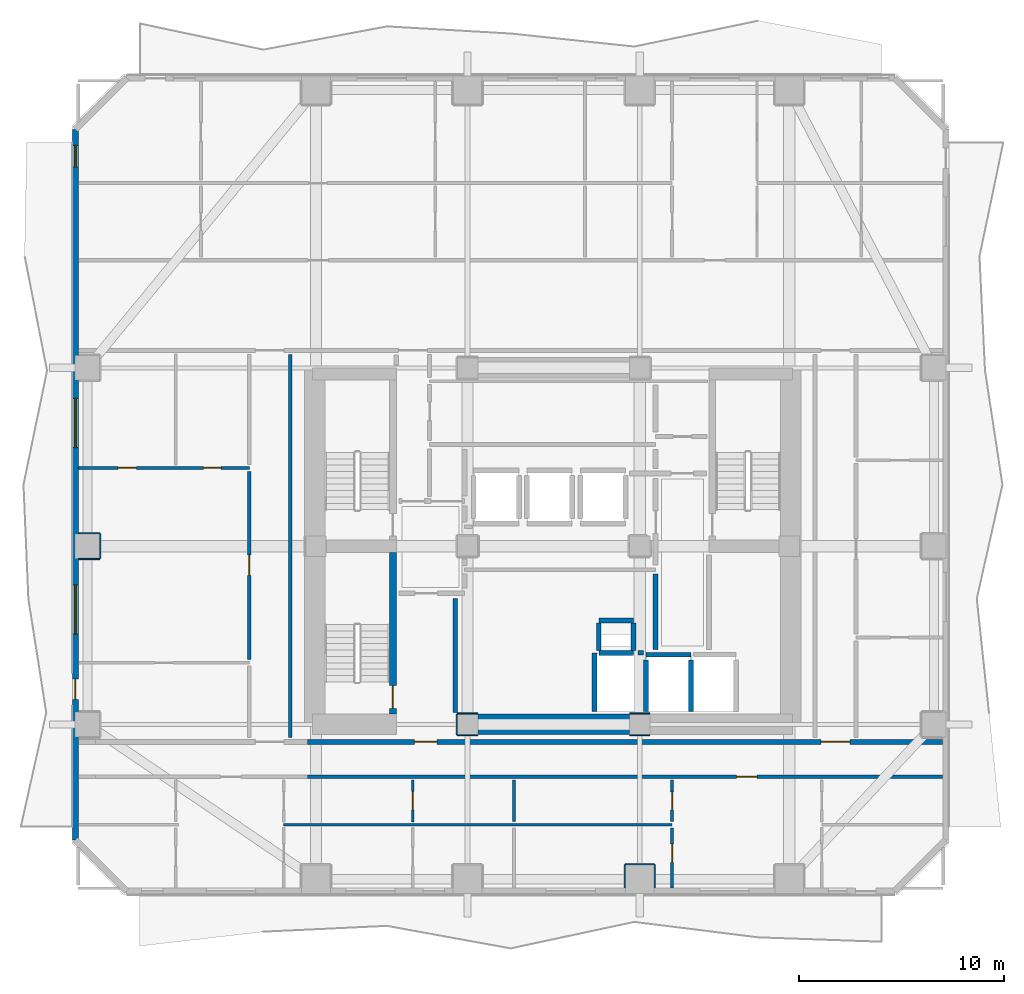
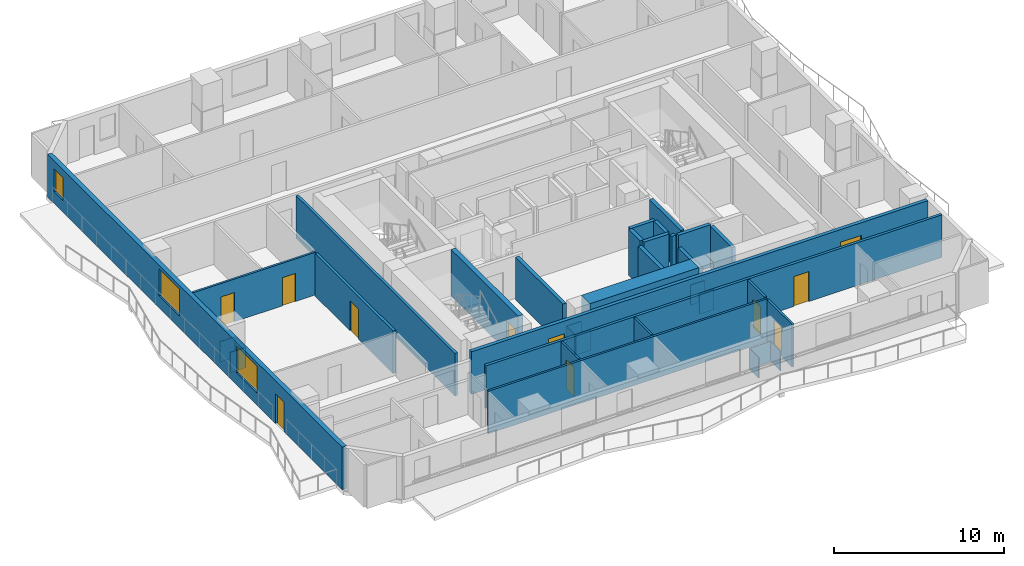
# One storey, part 3 of 12: 35 walls, 11 doors, 3 windows, 14 openings.
"""IFC4 building model written with IfcOpenShell, lengths in metres."""

from ifc_helpers import new_model, si_unit, direction, frame, frame_2d, origin, place, context, subcontext, project, spatial, rectangle, extrude, material, layer, layer_set, type_object, element, fill, save


model = new_model("IFC4")

# Units and contexts
model_context = context("Model", 3, precision=1e-05, world=origin(), true_north=direction((0.0, 1.0)))
body_context = subcontext(model_context, "Body", "Model", "MODEL_VIEW")
ifc_project = project(units=[si_unit("LENGTHUNIT", "METRE"), si_unit("AREAUNIT", "SQUARE_METRE"), si_unit("VOLUMEUNIT", "CUBIC_METRE"), si_unit("PLANEANGLEUNIT", "RADIAN"), si_unit("MASSUNIT", "GRAM", prefix="KILO")], contexts=[model_context])

# Site, building, storey
site_placement = place(None, origin())
site = spatial("IfcSite", under=ifc_project, at=site_placement, CompositionType="ELEMENT")
building_placement = place(site_placement, origin())
building = spatial("IfcBuilding", under=site, at=building_placement, Name="Solanera Arch Residences", CompositionType="ELEMENT")
storey_placement = place(building_placement, frame((0.0, 0.0, 96.1201171875)))
storey = spatial("IfcBuildingStorey", under=building, at=storey_placement, Name="L27", CompositionType="ELEMENT", Elevation=96.1201171875)

# Walls
ifc_material_1 = material(Name="Fire-Rated Gypsum Stud Partition", Category="gypsum")
ifc_layer_1 = layer(ifc_material_1, 0.06005859375)
ifc_layer_set_1 = layer_set([ifc_layer_1], Name="Fire-Rated Gypsum Stud Partition")
wall_type_1 = type_object("IfcWallType", Name="Column Acoustic Furring Wall 60", PredefinedType="PARTITIONING", material=ifc_layer_set_1)
for number, where, z_axis, x_axis, name in (
    (1, (20.300048828125, 21.468017578125, 0.0), (0.0, 0.0, 1.0), (1.0, 0.0, 0.0), "L27 Column Furring 1S"),
    (2, (20.300048828125, 22.531982421875, 0.0), (0.0, 0.0, 1.0), (1.0, 0.0, 0.0), "L27 Column Furring 1N"),
    (3, (20.26806640625, 21.5, 0.0), (0.0, 0.0, 1.0), (0.0, 1.0, 0.0), "L27 Column Furring 1W"),
    (4, (28.699951171875, 21.468017578125, 0.0), (0.0, 0.0, 1.0), (1.0, 0.0, 0.0), "L27 Column Furring 2S"),
    (5, (28.699951171875, 22.531982421875, 0.0), (0.0, 0.0, 1.0), (1.0, 0.0, 0.0), "L27 Column Furring 2N"),
):
    element("IfcWall", number, at=place(storey_placement, frame(where, z_axis=z_axis, x_axis=x_axis)), inside=storey, type_object=wall_type_1, Name=name, PredefinedType="PARTITIONING", context=body_context, shape_type="SweptSolid", body=[
        extrude(rectangle(XDim=1.0, YDim=0.06005859375, at=frame_2d((0.5, 0.0))), origin(), (0.0, 0.0, 1.0), 1.449951171875),
    ])
wall_1_placement = place(storey_placement, frame((28.5, 15.181884765625, 0.0), z_axis=(0.0, 0.0, 1.0), x_axis=(1.0, 0.0, 0.0)))
element("IfcWall", 6, at=wall_1_placement, inside=storey, type_object=wall_type_1, Name="L27 Column Furring 13N", PredefinedType="PARTITIONING", context=body_context, shape_type="SweptSolid", body=[
    extrude(rectangle(XDim=1.39990234375, YDim=0.06005859375, at=frame_2d((0.699951171875, 0.0))), origin(), (0.0, 0.0, 1.0), 1.449951171875),
])
for number, where, z_axis, x_axis, name in (
    (7, (28.468017578125, 14.030029296875, 0.0), (0.0, 0.0, 1.0), (0.0, 1.0, 0.0), "L27 Column Furring 13W"),
    (8, (29.931884765625, 14.030029296875, 0.0), (0.0, 0.0, 1.0), (0.0, 1.0, 0.0), "L27 Column Furring 13E"),
):
    element("IfcWall", number, at=place(storey_placement, frame(where, z_axis=z_axis, x_axis=x_axis)), inside=storey, type_object=wall_type_1, Name=name, PredefinedType="PARTITIONING", context=body_context, shape_type="SweptSolid", body=[
        extrude(rectangle(XDim=1.119873046875, YDim=0.06005859375, at=frame_2d((0.56005859375, 0.0))), origin(), (0.0, 0.0, 1.0), 1.449951171875),
    ])
for number, where, z_axis, x_axis, name in (
    (9, (1.830078125, 30.068115234375, 0.0), (0.0, 0.0, 1.0), (1.0, 0.0, 0.0), "L27 Column Furring 19S"),
    (10, (1.830078125, 31.33203125, 0.0), (0.0, 0.0, 1.0), (1.0, 0.0, 0.0), "L27 Column Furring 19N"),
):
    element("IfcWall", number, at=place(storey_placement, frame(where, z_axis=z_axis, x_axis=x_axis)), inside=storey, type_object=wall_type_1, Name=name, PredefinedType="PARTITIONING", context=body_context, shape_type="SweptSolid", body=[
        extrude(rectangle(XDim=1.02001953125, YDim=0.06005859375, at=frame_2d((0.510009765625, 0.0))), origin(), (0.0, 0.0, 1.0), 1.449951171875),
    ])
wall_2_placement = place(storey_placement, frame((2.882080078125, 30.10009765625, 0.0), z_axis=(0.0, 0.0, 1.0), x_axis=(0.0, 1.0, 0.0)))
element("IfcWall", 11, at=wall_2_placement, inside=storey, type_object=wall_type_1, Name="L27 Column Furring 19E", PredefinedType="PARTITIONING", context=body_context, shape_type="SweptSolid", body=[
    extrude(rectangle(XDim=1.199951171875, YDim=0.06005859375, at=frame_2d((0.60009765625, 0.0))), origin(), (0.0, 0.0, 1.0), 1.449951171875),
])
ifc_material_2 = material(Name="Concrete C55/67 (f'c = 60 MPa)", Category="concrete")
ifc_layer_2 = layer(ifc_material_2, 1.0)
ifc_layer_set_2 = layer_set([ifc_layer_2], Name="Concrete C55/67 (f'c = 60 MPa)")
wall_type_2 = type_object("IfcWallType", Name="Core Shear Wall CW-1000", PredefinedType="SHEAR", material=ifc_layer_set_2)
wall_3_placement = place(storey_placement, frame((21.304931640625, 22.0, 0.0), z_axis=(0.0, 0.0, 1.0), x_axis=(1.0, 0.0, 0.0)))
element("IfcWall", 12, at=wall_3_placement, inside=storey, type_object=wall_type_2, Name="L27 Central South Core Shear Wall", PredefinedType="SHEAR", context=body_context, shape_type="SweptSolid", body=[
    extrude(rectangle(XDim=7.39013671875, YDim=1.0, at=frame_2d((3.695068359375, 0.0))), origin(), (0.0, 0.0, 1.0), 3.31982421875),
])

# Wall, opening, door
ifc_material_3 = material(Name="Concrete C40/50 (f'c = 45 MPa)", Category="concrete")
ifc_layer_3 = layer(ifc_material_3, 0.320068359375)
ifc_layer_set_3 = layer_set([ifc_layer_3], Name="Concrete C40/50 (f'c = 45 MPa)")
wall_type_3 = type_object("IfcWallType", Name="Core Shear Wall CW-320", PredefinedType="SHEAR", material=ifc_layer_set_3)
wall_4_placement = place(storey_placement, frame((17.159912109375, 22.5, 0.0), z_axis=(0.0, 0.0, 1.0), x_axis=(0.0, 1.0, 0.0)))
wall_4 = element("IfcWall", 13, at=wall_4_placement, inside=storey, type_object=wall_type_3, Name="L27 Stair ST-T3 East Shear Wall", PredefinedType="SHEAR", context=body_context, shape_type="SweptSolid", body=[
    extrude(rectangle(XDim=7.89990234375, YDim=0.320068359375, at=frame_2d((3.949951171875, 0.0))), origin(), (0.0, 0.0, 1.0), 3.31982421875),
])
opening_1_placement = place(wall_4_placement, frame((0.2900390625, 0.0, 0.0)))
opening_1 = element("IfcOpeningElement", 14, at=opening_1_placement, cuts=wall_4, Name="Opening DF-01", PredefinedType="OPENING", context=body_context, shape_type="SweptSolid", body=[
    extrude(rectangle(XDim=1.10009765625, YDim=2.14990234375, at=frame_2d((0.550048828125, 1.074951171875))), frame((0.0, 0.169921875, 0.0), z_axis=(0.0, -1.0, 0.0), x_axis=(1.0, 0.0, 0.0)), (0.0, 0.0, 1.0), 0.3401),
])
ifc_material_4 = material(Name="Fire-Rated Architectural Hardwood", Category="wood")
door_type_1 = type_object("IfcDoorType", Name="Stair Exit Fire Door DF-01", OperationType="NOTDEFINED", PredefinedType="DOOR", material=ifc_material_4)
door_1_placement = place(opening_1_placement, origin())
door_1 = element("IfcDoor", 15, at=door_1_placement, inside=storey, type_object=door_type_1, Name="DR-L27-STAIR-ST-T3", OperationType="SINGLE_SWING_RIGHT", OverallHeight=2.14990234375, OverallWidth=1.10009765625, PredefinedType="DOOR", context=body_context, shape_type="SweptSolid", body=[
    extrude(rectangle(XDim=1.10009765625, YDim=2.14990234375, at=frame_2d((0.550048828125, 1.074951171875))), frame((0.0, 0.02490234375, 0.0), z_axis=(0.0, -1.0, 0.0), x_axis=(1.0, 0.0, 0.0)), (0.0, 0.0, 1.0), 0.050048828125),
])
fill(opening_1, door_1)

ifc_material_5 = material(Name="Autoclaved Aerated Concrete Blockwork", Category="masonry")
ifc_layer_4 = layer(ifc_material_5, 0.179931640625)
ifc_layer_set_4 = layer_set([ifc_layer_4], Name="Autoclaved Aerated Concrete Blockwork")
wall_type_4 = type_object("IfcWallType", Name="Corridor Fire Partition 180", PredefinedType="PARTITIONING", material=ifc_layer_set_4)
wall_5_placement = place(storey_placement, frame((12.992919921875, 19.449951171875, 0.0), z_axis=(0.0, 0.0, 1.0), x_axis=(1.0, 0.0, 0.0)))
wall_5 = element("IfcWall", 16, at=wall_5_placement, inside=storey, type_object=wall_type_4, Name="L27 Interior Partition H7 3", PredefinedType="PARTITIONING", context=body_context, shape_type="SweptSolid", body=[
    extrude(rectangle(XDim=30.97998046875, YDim=0.179931640625, at=frame_2d((15.489990234375, 0.0))), origin(), (0.0, 0.0, 1.0), 3.059814453125),
])
opening_2_placement = place(wall_5_placement, frame((20.93701171875, 0.0, 0.0)))
opening_2 = element("IfcOpeningElement", 17, at=opening_2_placement, cuts=wall_5, Name="Opening DI-01", PredefinedType="OPENING", context=body_context, shape_type="SweptSolid", body=[
    extrude(rectangle(XDim=1.0, YDim=2.14990234375, at=frame_2d((0.5, 1.074951171875))), frame((0.0, 0.10009765625, 0.0), z_axis=(0.0, -1.0, 0.0), x_axis=(1.0, 0.0, 0.0)), (0.0, 0.0, 1.0), 0.1999),
])
ifc_material_6 = material(Name="Fire-Rated Architectural Hardwood", Category="wood")
door_type_2 = type_object("IfcDoorType", Name="Unit Entrance Fire Door DI-01", OperationType="NOTDEFINED", PredefinedType="DOOR", material=ifc_material_6)
door_2_placement = place(opening_2_placement, origin())
door_2 = element("IfcDoor", 18, at=door_2_placement, inside=storey, type_object=door_type_2, Name="DR-L27-IN-024", OperationType="SINGLE_SWING_LEFT", OverallHeight=2.14990234375, OverallWidth=1.0, PredefinedType="DOOR", context=body_context, shape_type="SweptSolid", body=[
    extrude(rectangle(XDim=1.0, YDim=2.14990234375, at=frame_2d((0.5, 1.074951171875))), frame((0.0, 0.02490234375, 0.0), z_axis=(0.0, -1.0, 0.0), x_axis=(1.0, 0.0, 0.0)), (0.0, 0.0, 1.0), 0.050048828125),
])
fill(opening_2, door_2)

wall_6_placement = place(storey_placement, frame((10.14990234375, 25.176025390625, 0.0), z_axis=(0.0, 0.0, 1.0), x_axis=(0.0, 1.0, 0.0)))
wall_6 = element("IfcWall", 19, at=wall_6_placement, inside=storey, type_object=wall_type_4, Name="L27 Interior Partition V8 2", PredefinedType="PARTITIONING", context=body_context, shape_type="SweptSolid", body=[
    extrude(rectangle(XDim=9.176025390625, YDim=0.179931640625, at=frame_2d((4.587890625, 0.0))), origin(), (0.0, 0.0, 1.0), 3.059814453125),
])
opening_3_placement = place(wall_6_placement, frame((4.093017578125, 0.0, 0.0)))
opening_3 = element("IfcOpeningElement", 20, at=opening_3_placement, cuts=wall_6, Name="Opening DI-01", PredefinedType="OPENING", context=body_context, shape_type="SweptSolid", body=[
    extrude(rectangle(XDim=1.0, YDim=2.14990234375, at=frame_2d((0.5, 1.074951171875))), frame((0.0, 0.10009765625, 0.0), z_axis=(0.0, -1.0, 0.0), x_axis=(1.0, 0.0, 0.0)), (0.0, 0.0, 1.0), 0.1999),
])
door_3_placement = place(opening_3_placement, origin())
door_3 = element("IfcDoor", 21, at=door_3_placement, inside=storey, type_object=door_type_2, Name="DR-L27-IN-042", OperationType="SINGLE_SWING_LEFT", OverallHeight=2.14990234375, OverallWidth=1.0, PredefinedType="DOOR", context=body_context, shape_type="SweptSolid", body=[
    extrude(rectangle(XDim=1.0, YDim=2.14990234375, at=frame_2d((0.5, 1.074951171875))), frame((0.0, 0.02490234375, 0.0), z_axis=(0.0, -1.0, 0.0), x_axis=(1.0, 0.0, 0.0)), (0.0, 0.0, 1.0), 0.050048828125),
])
fill(opening_3, door_3)

# Wall
wall_7_placement = place(storey_placement, frame((12.14990234375, 21.367919921875, 0.0), z_axis=(0.0, 0.0, 1.0), x_axis=(0.0, 1.0, 0.0)))
element("IfcWall", 22, at=wall_7_placement, inside=storey, type_object=wall_type_4, Name="L27 Interior Partition V9", PredefinedType="PARTITIONING", context=body_context, shape_type="SweptSolid", body=[
    extrude(rectangle(XDim=18.694091796875, YDim=0.179931640625, at=frame_2d((9.34716796875, 0.0))), origin(), (0.0, 0.0, 1.0), 3.059814453125),
])

# Wall, openings, door, windows
ifc_material_7 = material(Name="Precast Concrete C35/45", Category="concrete")
ifc_layer_5 = layer(ifc_material_7, 0.300048828125)
ifc_layer_set_5 = layer_set([ifc_layer_5], Name="Precast Concrete C35/45")
wall_type_5 = type_object("IfcWallType", Name="Exterior Wall Precast Masonry-Frame 300", PredefinedType="STANDARD", material=ifc_layer_set_5)
wall_8_placement = place(storey_placement, frame((1.6650390625, 16.364990234375, 0.0), z_axis=(0.0, 0.0, 1.0), x_axis=(0.0, 1.0, 0.0)))
wall_8 = element("IfcWall", 23, at=wall_8_placement, inside=storey, type_object=wall_type_5, Name="L27 Tower Exterior Precast Masonry-Frame Wall W", PredefinedType="STANDARD", context=body_context, shape_type="SweptSolid", body=[
    extrude(rectangle(XDim=34.669921875, YDim=0.300048828125, at=frame_2d((17.3349609375, 0.0))), origin(), (0.0, 0.0, 1.0), 3.059814453125),
])
opening_4_placement = place(wall_8_placement, frame((6.85400390625, 0.0, 0.0)))
opening_4 = element("IfcOpeningElement", 24, at=opening_4_placement, cuts=wall_8, Name="Opening DB-01", PredefinedType="OPENING", context=body_context, shape_type="SweptSolid", body=[
    extrude(rectangle(XDim=1.0, YDim=2.14990234375, at=frame_2d((0.5, 1.074951171875))), frame((0.0, 0.159912109375, 0.0), z_axis=(0.0, -1.0, 0.0), x_axis=(1.0, 0.0, 0.0)), (0.0, 0.0, 1.0), 0.32),
])
opening_5_placement = place(wall_8_placement, frame((32.839111328125, 0.0, 0.85009765625)))
opening_5 = element("IfcOpeningElement", 25, at=opening_5_placement, cuts=wall_8, Name="Opening W-07", PredefinedType="OPENING", context=body_context, shape_type="SweptSolid", body=[
    extrude(rectangle(XDim=1.050048828125, YDim=1.64990234375, at=frame_2d((0.52490234375, 0.824951171875))), frame((0.0, 0.159912109375, 0.0), z_axis=(0.0, -1.0, 0.0), x_axis=(1.0, 0.0, 0.0)), (0.0, 0.0, 1.0), 0.32),
])
opening_6_placement = place(wall_8_placement, frame((10.0439453125, 0.0, 0.85009765625)))
opening_6 = element("IfcOpeningElement", 26, at=opening_6_placement, cuts=wall_8, Name="Opening W-05", PredefinedType="OPENING", context=body_context, shape_type="SweptSolid", body=[
    extrude(rectangle(XDim=2.39990234375, YDim=1.949951171875, at=frame_2d((1.199951171875, 0.97509765625))), frame((0.0, 0.159912109375, 0.0), z_axis=(0.0, -1.0, 0.0), x_axis=(1.0, 0.0, 0.0)), (0.0, 0.0, 1.0), 0.32),
])
opening_7_placement = place(wall_8_placement, frame((19.14501953125, 0.0, 0.85009765625)))
opening_7 = element("IfcOpeningElement", 27, at=opening_7_placement, cuts=wall_8, Name="Opening W-05", PredefinedType="OPENING", context=body_context, shape_type="SweptSolid", body=[
    extrude(rectangle(XDim=2.39990234375, YDim=1.949951171875, at=frame_2d((1.199951171875, 0.97509765625))), frame((0.0, 0.159912109375, 0.0), z_axis=(0.0, -1.0, 0.0), x_axis=(1.0, 0.0, 0.0)), (0.0, 0.0, 1.0), 0.32),
])
ifc_material_8 = material(Name="Anodised Aluminium Alloy 6063-T6", Category="aluminium")
door_type_3 = type_object("IfcDoorType", Name="Glazed Balcony Swing Door DB-01", OperationType="NOTDEFINED", PredefinedType="DOOR", material=ifc_material_8)
door_4_placement = place(opening_4_placement, origin())
door_4 = element("IfcDoor", 28, at=door_4_placement, inside=storey, type_object=door_type_3, Name="DR-L27-OUT-04", OperationType="SINGLE_SWING_RIGHT", OverallHeight=2.14990234375, OverallWidth=1.0, PredefinedType="DOOR", context=body_context, shape_type="SweptSolid", body=[
    extrude(rectangle(XDim=1.0, YDim=2.14990234375, at=frame_2d((0.5, 1.074951171875))), frame((0.0, 0.02490234375, 0.0), z_axis=(0.0, -1.0, 0.0), x_axis=(1.0, 0.0, 0.0)), (0.0, 0.0, 1.0), 0.050048828125),
])
fill(opening_4, door_4)
ifc_material_9 = material(Name="Double Glazed Low-E Laminated Glass", Category="glass")
window_type_1 = type_object("IfcWindowType", Name="Punched Window W-05", PartitioningType="TRIPLE_PANEL_VERTICAL", PredefinedType="WINDOW", material=ifc_material_9)
window_1_placement = place(opening_6_placement, origin())
window_1 = element("IfcWindow", 29, at=window_1_placement, inside=storey, type_object=window_type_1, Name="L27 2705-LIV Punched Window", OverallHeight=1.949951171875, OverallWidth=2.39990234375, PartitioningType="SINGLE_PANEL", PredefinedType="WINDOW", context=body_context, shape_type="SweptSolid", body=[
    extrude(rectangle(XDim=2.39990234375, YDim=1.949951171875, at=frame_2d((1.199951171875, 0.97509765625))), frame((0.0, 0.030029296875, 0.0), z_axis=(0.0, -1.0, 0.0), x_axis=(1.0, 0.0, 0.0)), (0.0, 0.0, 1.0), 0.06005859375),
])
fill(opening_6, window_1)
window_2_placement = place(opening_7_placement, origin())
window_2 = element("IfcWindow", 30, at=window_2_placement, inside=storey, type_object=window_type_1, Name="L27 2705-BR1 Punched Window", OverallHeight=1.949951171875, OverallWidth=2.39990234375, PartitioningType="SINGLE_PANEL", PredefinedType="WINDOW", context=body_context, shape_type="SweptSolid", body=[
    extrude(rectangle(XDim=2.39990234375, YDim=1.949951171875, at=frame_2d((1.199951171875, 0.97509765625))), frame((0.0, 0.030029296875, 0.0), z_axis=(0.0, -1.0, 0.0), x_axis=(1.0, 0.0, 0.0)), (0.0, 0.0, 1.0), 0.06005859375),
])
fill(opening_7, window_2)
ifc_material_10 = material(Name="Double Glazed Low-E Laminated Glass", Category="glass")
window_type_2 = type_object("IfcWindowType", Name="Punched Window W-07", PartitioningType="SINGLE_PANEL", PredefinedType="WINDOW", material=ifc_material_10)
window_3_placement = place(opening_5_placement, origin())
window_3 = element("IfcWindow", 31, at=window_3_placement, inside=storey, type_object=window_type_2, Name="L27 2703-BR1 Punched Window", OverallHeight=1.64990234375, OverallWidth=1.050048828125, PartitioningType="SINGLE_PANEL", PredefinedType="WINDOW", context=body_context, shape_type="SweptSolid", body=[
    extrude(rectangle(XDim=1.050048828125, YDim=1.64990234375, at=frame_2d((0.52490234375, 0.824951171875))), frame((0.0, 0.030029296875, 0.0), z_axis=(0.0, -1.0, 0.0), x_axis=(1.0, 0.0, 0.0)), (0.0, 0.0, 1.0), 0.06005859375),
])
fill(opening_5, window_3)

# Walls
ifc_material_11 = material(Name="Concrete C40/50 (f'c = 45 MPa)", Category="concrete")
ifc_layer_6 = layer(ifc_material_11, 0.239990234375)
ifc_layer_set_6 = layer_set([ifc_layer_6], Name="Concrete C40/50 (f'c = 45 MPa)")
wall_type_6 = type_object("IfcWallType", Name="Ramp Bearing Shear Wall RW-240", PredefinedType="SHEAR", material=ifc_layer_set_6)
for number, where, z_axis, x_axis, name in (
    (32, (27.199951171875, 25.47998046875, 0.0), (0.0, 0.0, 1.0), (1.0, 0.0, 0.0), "L27 Core MEP Riser South Shaft Wall"),
    (33, (27.199951171875, 27.080078125, 0.0), (0.0, 0.0, 1.0), (1.0, 0.0, 0.0), "L27 Core MEP Riser North Shaft Wall"),
):
    element("IfcWall", number, at=place(storey_placement, frame(where, z_axis=z_axis, x_axis=x_axis)), inside=storey, type_object=wall_type_6, Name=name, PredefinedType="SHEAR", context=body_context, shape_type="SweptSolid", body=[
        extrude(rectangle(XDim=1.699951171875, YDim=0.239990234375, at=frame_2d((0.85009765625, 0.0))), origin(), (0.0, 0.0, 1.0), 3.31982421875),
    ])
for number, where, z_axis, x_axis, name in (
    (34, (27.199951171875, 25.60009765625, 0.0), (0.0, 0.0, 1.0), (0.0, 1.0, 0.0), "L27 Core MEP Riser West Shaft Wall"),
    (35, (28.89990234375, 25.60009765625, 0.0), (0.0, 0.0, 1.0), (0.0, 1.0, 0.0), "L27 Core MEP Riser East Shaft Wall"),
):
    element("IfcWall", number, at=place(storey_placement, frame(where, z_axis=z_axis, x_axis=x_axis)), inside=storey, type_object=wall_type_6, Name=name, PredefinedType="SHEAR", context=body_context, shape_type="SweptSolid", body=[
        extrude(rectangle(XDim=1.35986328125, YDim=0.239990234375, at=frame_2d((0.679931640625, 0.0))), origin(), (0.0, 0.0, 1.0), 3.31982421875),
    ])
ifc_material_12 = material(Name="Autoclaved Aerated Concrete Blockwork", Category="masonry")
ifc_layer_7 = layer(ifc_material_12, 0.239990234375)
ifc_layer_set_7 = layer_set([ifc_layer_7], Name="Autoclaved Aerated Concrete Blockwork")
wall_type_7 = type_object("IfcWallType", Name="Shaft Wall Fire-Rated 240", PredefinedType="PARTITIONING", material=ifc_layer_set_7)
wall_9_placement = place(storey_placement, frame((29.5, 25.39990234375, 0.0), z_axis=(0.0, 0.0, 1.0), x_axis=(1.0, 0.0, 0.0)))
element("IfcWall", 36, at=wall_9_placement, inside=storey, type_object=wall_type_7, Name="L27 Lift FFL-1 Hoistway Wall N", PredefinedType="PARTITIONING", context=body_context, shape_type="SweptSolid", body=[
    extrude(rectangle(XDim=2.199951171875, YDim=0.239990234375, at=frame_2d((1.10009765625, 0.0))), origin(), (0.0, 0.0, 1.0), 3.059814453125),
])
wall_10_placement = place(storey_placement, frame((29.5, 22.632080078125, 0.0), z_axis=(0.0, 0.0, 1.0), x_axis=(0.0, 1.0, 0.0)))
element("IfcWall", 37, at=wall_10_placement, inside=storey, type_object=wall_type_7, Name="L27 Lift FFL-1 Hoistway Wall W", PredefinedType="PARTITIONING", context=body_context, shape_type="SweptSolid", body=[
    extrude(rectangle(XDim=2.52001953125, YDim=0.239990234375, at=frame_2d((1.260009765625, 0.0))), origin(), (0.0, 0.0, 1.0), 2.294921875),
])
wall_11_placement = place(storey_placement, frame((31.699951171875, 22.6298828125, 0.0), z_axis=(0.0, 0.0, 1.0), x_axis=(0.0, 1.0, 0.0)))
element("IfcWall", 38, at=wall_11_placement, inside=storey, type_object=wall_type_7, Name="L27 Lift FFL-1 Hoistway Wall E", PredefinedType="PARTITIONING", context=body_context, shape_type="SweptSolid", body=[
    extrude(rectangle(XDim=2.522216796875, YDim=0.239990234375, at=frame_2d((1.26123046875, 0.0))), origin(), (0.0, 0.0, 1.0), 3.059814453125),
])
wall_12_placement = place(storey_placement, frame((29.10302734375, 25.5, 0.0), z_axis=(0.0, 0.0, 1.0), x_axis=(1.0, 0.0, 0.0)))
element("IfcWall", 39, at=wall_12_placement, inside=storey, type_object=wall_type_7, Name="L27 Lift SVL-1 Hoistway Wall N", PredefinedType="PARTITIONING", context=body_context, shape_type="SweptSolid", body=[
    extrude(rectangle(XDim=0.26904296875, YDim=0.239990234375, at=frame_2d((0.134521484375, 0.0))), origin(), (0.0, 0.0, 1.0), 3.059814453125),
])
wall_13_placement = place(storey_placement, frame((27.0, 22.6298828125, 0.0), z_axis=(0.0, 0.0, 1.0), x_axis=(0.0, 1.0, 0.0)))
element("IfcWall", 40, at=wall_13_placement, inside=storey, type_object=wall_type_7, Name="L27 Lift SVL-1 Hoistway Wall W", PredefinedType="PARTITIONING", context=body_context, shape_type="SweptSolid", body=[
    extrude(rectangle(XDim=2.8681640625, YDim=0.239990234375, at=frame_2d((1.43408203125, 0.0))), origin(), (0.0, 0.0, 1.0), 3.059814453125),
])

# Wall, openings, doors
wall_14_placement = place(storey_placement, frame((12.992919921875, 21.14990234375, 0.0), z_axis=(0.0, 0.0, 1.0), x_axis=(1.0, 0.0, 0.0)))
wall_14 = element("IfcWall", 41, at=wall_14_placement, inside=storey, type_object=wall_type_7, Name="L27 Interior Partition H1 3", PredefinedType="PARTITIONING", context=body_context, shape_type="SweptSolid", body=[
    extrude(rectangle(XDim=30.97998046875, YDim=0.239990234375, at=frame_2d((15.489990234375, 0.0))), origin(), (0.0, 0.0, 1.0), 3.059814453125),
])
opening_8_placement = place(wall_14_placement, frame((5.217041015625, 0.0, 0.0)))
opening_8 = element("IfcOpeningElement", 42, at=opening_8_placement, cuts=wall_14, Name="Opening DF-02", PredefinedType="OPENING", context=body_context, shape_type="SweptSolid", body=[
    extrude(rectangle(XDim=1.10009765625, YDim=2.14990234375, at=frame_2d((0.550048828125, 1.074951171875))), frame((0.0, 0.1298828125, 0.0), z_axis=(0.0, -1.0, 0.0), x_axis=(1.0, 0.0, 0.0)), (0.0, 0.0, 1.0), 0.26),
])
opening_9_placement = place(wall_14_placement, frame((25.056884765625, 0.0, 0.0)))
opening_9 = element("IfcOpeningElement", 43, at=opening_9_placement, cuts=wall_14, Name="Opening DF-03", PredefinedType="OPENING", context=body_context, shape_type="SweptSolid", body=[
    extrude(rectangle(XDim=1.39990234375, YDim=2.14990234375, at=frame_2d((0.699951171875, 1.074951171875))), frame((0.0, 0.1298828125, 0.0), z_axis=(0.0, -1.0, 0.0), x_axis=(1.0, 0.0, 0.0)), (0.0, 0.0, 1.0), 0.26),
])
ifc_material_13 = material(Name="Fire-Rated Architectural Hardwood", Category="wood")
door_type_4 = type_object("IfcDoorType", Name="Corridor Smoke Door DF-03", OperationType="NOTDEFINED", PredefinedType="DOOR", material=ifc_material_13)
door_5_placement = place(opening_9_placement, origin())
door_5 = element("IfcDoor", 44, at=door_5_placement, inside=storey, type_object=door_type_4, Name="DR-L27-IN-011", OperationType="SINGLE_SWING_RIGHT", OverallHeight=2.14990234375, OverallWidth=1.39990234375, PredefinedType="DOOR", context=body_context, shape_type="SweptSolid", body=[
    extrude(rectangle(XDim=1.39990234375, YDim=2.14990234375, at=frame_2d((0.699951171875, 1.074951171875))), frame((0.0, 0.02490234375, 0.0), z_axis=(0.0, -1.0, 0.0), x_axis=(1.0, 0.0, 0.0)), (0.0, 0.0, 1.0), 0.050048828125),
])
fill(opening_9, door_5)
ifc_material_14 = material(Name="Fire-Rated Architectural Hardwood", Category="wood")
door_type_5 = type_object("IfcDoorType", Name="Firefighting Lobby Fire Door DF-02", OperationType="NOTDEFINED", PredefinedType="DOOR", material=ifc_material_14)
door_6_placement = place(opening_8_placement, origin())
door_6 = element("IfcDoor", 45, at=door_6_placement, inside=storey, type_object=door_type_5, Name="DR-L27-IN-008", OperationType="SINGLE_SWING_LEFT", OverallHeight=2.14990234375, OverallWidth=1.10009765625, PredefinedType="DOOR", context=body_context, shape_type="SweptSolid", body=[
    extrude(rectangle(XDim=1.10009765625, YDim=2.14990234375, at=frame_2d((0.550048828125, 1.074951171875))), frame((0.0, 0.02490234375, 0.0), z_axis=(0.0, -1.0, 0.0), x_axis=(1.0, 0.0, 0.0)), (0.0, 0.0, 1.0), 0.050048828125),
])
fill(opening_8, door_6)

# Walls
wall_15_placement = place(storey_placement, frame((20.199951171875, 22.5859375, 0.0), z_axis=(0.0, 0.0, 1.0), x_axis=(0.0, 1.0, 0.0)))
element("IfcWall", 46, at=wall_15_placement, inside=storey, type_object=wall_type_7, Name="L27 Interior Partition V2", PredefinedType="PARTITIONING", context=body_context, shape_type="SweptSolid", body=[
    extrude(rectangle(XDim=5.566162109375, YDim=0.239990234375, at=frame_2d((2.783203125, 0.0))), origin(), (0.0, 0.0, 1.0), 3.059814453125),
])
wall_16_placement = place(storey_placement, frame((29.97509765625, 25.64794921875, 0.0), z_axis=(0.0, 0.0, 1.0), x_axis=(0.0, 1.0, 0.0)))
element("IfcWall", 47, at=wall_16_placement, inside=storey, type_object=wall_type_7, Name="L27 Interior Partition V4 1", PredefinedType="PARTITIONING", context=body_context, shape_type="SweptSolid", body=[
    extrude(rectangle(XDim=3.68408203125, YDim=0.239990234375, at=frame_2d((1.842041015625, 0.0))), origin(), (0.0, 0.0, 1.0), 3.059814453125),
])

# Wall, opening, door
ifc_material_15 = material(Name="Fire-Rated Gypsum Stud Partition", Category="gypsum")
ifc_layer_8 = layer(ifc_material_15, 0.1201171875)
ifc_layer_set_8 = layer_set([ifc_layer_8], Name="Fire-Rated Gypsum Stud Partition")
wall_type_8 = type_object("IfcWallType", Name="Unit Drywall Partition 120", PredefinedType="PARTITIONING", material=ifc_layer_set_8)
wall_17_placement = place(storey_placement, frame((18.12109375, 17.2451171875, 0.0), z_axis=(0.0, 0.0, 1.0), x_axis=(0.0, 1.0, 0.0)))
wall_17 = element("IfcWall", 48, at=wall_17_placement, inside=storey, type_object=wall_type_8, Name="L27 Interior Partition V22 2", PredefinedType="PARTITIONING", context=body_context, shape_type="SweptSolid", body=[
    extrude(rectangle(XDim=2.046875, YDim=0.1201171875, at=frame_2d((1.0234375, 0.0))), origin(), (0.0, 0.0, 1.0), 3.059814453125),
])
opening_10_placement = place(wall_17_placement, frame((0.5830078125, 0.0, 0.0)))
opening_10 = element("IfcOpeningElement", 49, at=opening_10_placement, cuts=wall_17, Name="Opening DI-02", PredefinedType="OPENING", context=body_context, shape_type="SweptSolid", body=[
    extrude(rectangle(XDim=0.89990234375, YDim=2.10009765625, at=frame_2d((0.449951171875, 1.050048828125))), frame((0.0, 0.070068359375, 0.0), z_axis=(0.0, -1.0, 0.0), x_axis=(1.0, 0.0, 0.0)), (0.0, 0.0, 1.0), 0.1401),
])
ifc_material_16 = material(Name="Fire-Rated Architectural Hardwood", Category="wood")
door_type_6 = type_object("IfcDoorType", Name="Suite Room Swing Door DI-02", OperationType="NOTDEFINED", PredefinedType="DOOR", material=ifc_material_16)
door_7_placement = place(opening_10_placement, origin())
door_7 = element("IfcDoor", 50, at=door_7_placement, inside=storey, type_object=door_type_6, Name="DR-L27-IN-021", OperationType="SINGLE_SWING_RIGHT", OverallHeight=2.10009765625, OverallWidth=0.89990234375, PredefinedType="DOOR", context=body_context, shape_type="SweptSolid", body=[
    extrude(rectangle(XDim=0.89990234375, YDim=2.10009765625, at=frame_2d((0.449951171875, 1.050048828125))), frame((0.0, 0.02490234375, 0.0), z_axis=(0.0, -1.0, 0.0), x_axis=(1.0, 0.0, 0.0)), (0.0, 0.0, 1.0), 0.050048828125),
])
fill(opening_10, door_7)

# Wall
ifc_material_17 = material(Name="Autoclaved Aerated Concrete Blockwork", Category="masonry")
ifc_layer_9 = layer(ifc_material_17, 0.139892578125)
ifc_layer_set_9 = layer_set([ifc_layer_9], Name="Autoclaved Aerated Concrete Blockwork")
wall_type_9 = type_object("IfcWallType", Name="Wet-Room Partition 140", PredefinedType="PARTITIONING", material=ifc_layer_set_9)
wall_18_placement = place(storey_placement, frame((11.820068359375, 17.10693359375, 0.0), z_axis=(0.0, 0.0, 1.0), x_axis=(1.0, 0.0, 0.0)))
element("IfcWall", 51, at=wall_18_placement, inside=storey, type_object=wall_type_9, Name="L27 Interior Partition H14", PredefinedType="PARTITIONING", context=body_context, shape_type="SweptSolid", body=[
    extrude(rectangle(XDim=18.9599609375, YDim=0.139892578125, at=frame_2d((9.47998046875, 0.0))), origin(), (0.0, 0.0, 1.0), 3.059814453125),
])

# Wall, openings, doors
wall_19_placement = place(storey_placement, frame((1.826904296875, 34.52001953125, 0.0), z_axis=(0.0, 0.0, 1.0), x_axis=(1.0, 0.0, 0.0)))
wall_19 = element("IfcWall", 52, at=wall_19_placement, inside=storey, type_object=wall_type_9, Name="L27 Interior Partition H17", PredefinedType="PARTITIONING", context=body_context, shape_type="SweptSolid", body=[
    extrude(rectangle(XDim=8.322998046875, YDim=0.139892578125, at=frame_2d((4.16162109375, 0.0))), origin(), (0.0, 0.0, 1.0), 3.059814453125),
])
opening_11_placement = place(wall_19_placement, frame((6.0849609375, 0.0, 0.0)))
opening_11 = element("IfcOpeningElement", 53, at=opening_11_placement, cuts=wall_19, Name="Opening DI-05", PredefinedType="OPENING", context=body_context, shape_type="SweptSolid", body=[
    extrude(rectangle(XDim=0.860107421875, YDim=2.02001953125, at=frame_2d((0.43017578125, 1.010009765625))), frame((0.0, 0.079833984375, 0.0), z_axis=(0.0, -1.0, 0.0), x_axis=(1.0, 0.0, 0.0)), (0.0, 0.0, 1.0), 0.1599),
])
opening_12_placement = place(wall_19_placement, frame((1.9150390625, 0.0, 0.0)))
opening_12 = element("IfcOpeningElement", 54, at=opening_12_placement, cuts=wall_19, Name="Opening DI-03", PredefinedType="OPENING", context=body_context, shape_type="SweptSolid", body=[
    extrude(rectangle(XDim=0.89990234375, YDim=2.10009765625, at=frame_2d((0.449951171875, 1.050048828125))), frame((0.0, 0.079833984375, 0.0), z_axis=(0.0, -1.0, 0.0), x_axis=(1.0, 0.0, 0.0)), (0.0, 0.0, 1.0), 0.1599),
])
ifc_material_18 = material(Name="Fire-Rated Architectural Hardwood", Category="wood")
door_type_7 = type_object("IfcDoorType", Name="Bathroom Swing Door DI-05", OperationType="NOTDEFINED", PredefinedType="DOOR", material=ifc_material_18)
door_8_placement = place(opening_11_placement, origin())
door_8 = element("IfcDoor", 55, at=door_8_placement, inside=storey, type_object=door_type_7, Name="DR-L27-IN-044", OperationType="SINGLE_SWING_LEFT", OverallHeight=2.02001953125, OverallWidth=0.860107421875, PredefinedType="DOOR", context=body_context, shape_type="SweptSolid", body=[
    extrude(rectangle(XDim=0.860107421875, YDim=2.02001953125, at=frame_2d((0.43017578125, 1.010009765625))), frame((0.0, 0.02490234375, 0.0), z_axis=(0.0, -1.0, 0.0), x_axis=(1.0, 0.0, 0.0)), (0.0, 0.0, 1.0), 0.050048828125),
])
fill(opening_11, door_8)
ifc_material_19 = material(Name="Fire-Rated Architectural Hardwood", Category="wood")
door_type_8 = type_object("IfcDoorType", Name="Bedroom Swing Door DI-03", OperationType="NOTDEFINED", PredefinedType="DOOR", material=ifc_material_19)
door_9_placement = place(opening_12_placement, origin())
door_9 = element("IfcDoor", 56, at=door_9_placement, inside=storey, type_object=door_type_8, Name="DR-L27-IN-045", OperationType="SINGLE_SWING_RIGHT", OverallHeight=2.10009765625, OverallWidth=0.89990234375, PredefinedType="DOOR", context=body_context, shape_type="SweptSolid", body=[
    extrude(rectangle(XDim=0.89990234375, YDim=2.10009765625, at=frame_2d((0.449951171875, 1.050048828125))), frame((0.0, 0.02490234375, 0.0), z_axis=(0.0, -1.0, 0.0), x_axis=(1.0, 0.0, 0.0)), (0.0, 0.0, 1.0), 0.050048828125),
])
fill(opening_12, door_9)

# Wall
wall_20_placement = place(storey_placement, frame((23.072021484375, 17.2548828125, 0.0), z_axis=(0.0, 0.0, 1.0), x_axis=(0.0, 1.0, 0.0)))
element("IfcWall", 57, at=wall_20_placement, inside=storey, type_object=wall_type_9, Name="L27 Interior Partition V17 2", PredefinedType="PARTITIONING", context=body_context, shape_type="SweptSolid", body=[
    extrude(rectangle(XDim=2.027099609375, YDim=0.139892578125, at=frame_2d((1.013671875, 0.0))), origin(), (0.0, 0.0, 1.0), 3.059814453125),
])

# Wall, opening, door
wall_21_placement = place(storey_placement, frame((30.780029296875, 14.027099609375, 0.0), z_axis=(0.0, 0.0, 1.0), x_axis=(0.0, 1.0, 0.0)))
wall_21 = element("IfcWall", 58, at=wall_21_placement, inside=storey, type_object=wall_type_9, Name="L27 Interior Partition V19 1", PredefinedType="PARTITIONING", context=body_context, shape_type="SweptSolid", body=[
    extrude(rectangle(XDim=2.931884765625, YDim=0.139892578125, at=frame_2d((1.4658203125, 0.0))), origin(), (0.0, 0.0, 1.0), 3.059814453125),
])
opening_13_placement = place(wall_21_placement, frame((1.2490234375, 0.0, 0.0)))
opening_13 = element("IfcOpeningElement", 59, at=opening_13_placement, cuts=wall_21, Name="Opening DI-03", PredefinedType="OPENING", context=body_context, shape_type="SweptSolid", body=[
    extrude(rectangle(XDim=0.89990234375, YDim=2.10009765625, at=frame_2d((0.449951171875, 1.050048828125))), frame((0.0, 0.079833984375, 0.0), z_axis=(0.0, -1.0, 0.0), x_axis=(1.0, 0.0, 0.0)), (0.0, 0.0, 1.0), 0.1599),
])
door_10_placement = place(opening_13_placement, origin())
door_10 = element("IfcDoor", 60, at=door_10_placement, inside=storey, type_object=door_type_8, Name="DR-L27-IN-026", OperationType="SINGLE_SWING_LEFT", OverallHeight=2.10009765625, OverallWidth=0.89990234375, PredefinedType="DOOR", context=body_context, shape_type="SweptSolid", body=[
    extrude(rectangle(XDim=0.89990234375, YDim=2.10009765625, at=frame_2d((0.449951171875, 1.050048828125))), frame((0.0, 0.02490234375, 0.0), z_axis=(0.0, -1.0, 0.0), x_axis=(1.0, 0.0, 0.0)), (0.0, 0.0, 1.0), 0.050048828125),
])
fill(opening_13, door_10)

wall_22_placement = place(storey_placement, frame((30.780029296875, 17.2548828125, 0.0), z_axis=(0.0, 0.0, 1.0), x_axis=(0.0, 1.0, 0.0)))
wall_22 = element("IfcWall", 61, at=wall_22_placement, inside=storey, type_object=wall_type_9, Name="L27 Interior Partition V19 2", PredefinedType="PARTITIONING", context=body_context, shape_type="SweptSolid", body=[
    extrude(rectangle(XDim=2.027099609375, YDim=0.139892578125, at=frame_2d((1.013671875, 0.0))), origin(), (0.0, 0.0, 1.0), 3.059814453125),
])
opening_14_placement = place(wall_22_placement, frame((0.5810546875, 0.0, 0.0)))
opening_14 = element("IfcOpeningElement", 62, at=opening_14_placement, cuts=wall_22, Name="Opening DI-05", PredefinedType="OPENING", context=body_context, shape_type="SweptSolid", body=[
    extrude(rectangle(XDim=0.860107421875, YDim=2.02001953125, at=frame_2d((0.43017578125, 1.010009765625))), frame((0.0, 0.079833984375, 0.0), z_axis=(0.0, -1.0, 0.0), x_axis=(1.0, 0.0, 0.0)), (0.0, 0.0, 1.0), 0.1599),
])
door_11_placement = place(opening_14_placement, origin())
door_11 = element("IfcDoor", 63, at=door_11_placement, inside=storey, type_object=door_type_7, Name="DR-L27-IN-025", OperationType="SINGLE_SWING_RIGHT", OverallHeight=2.02001953125, OverallWidth=0.860107421875, PredefinedType="DOOR", context=body_context, shape_type="SweptSolid", body=[
    extrude(rectangle(XDim=0.860107421875, YDim=2.02001953125, at=frame_2d((0.43017578125, 1.010009765625))), frame((0.0, 0.02490234375, 0.0), z_axis=(0.0, -1.0, 0.0), x_axis=(1.0, 0.0, 0.0)), (0.0, 0.0, 1.0), 0.050048828125),
])
fill(opening_14, door_11)

save(model, "model.ifc")
